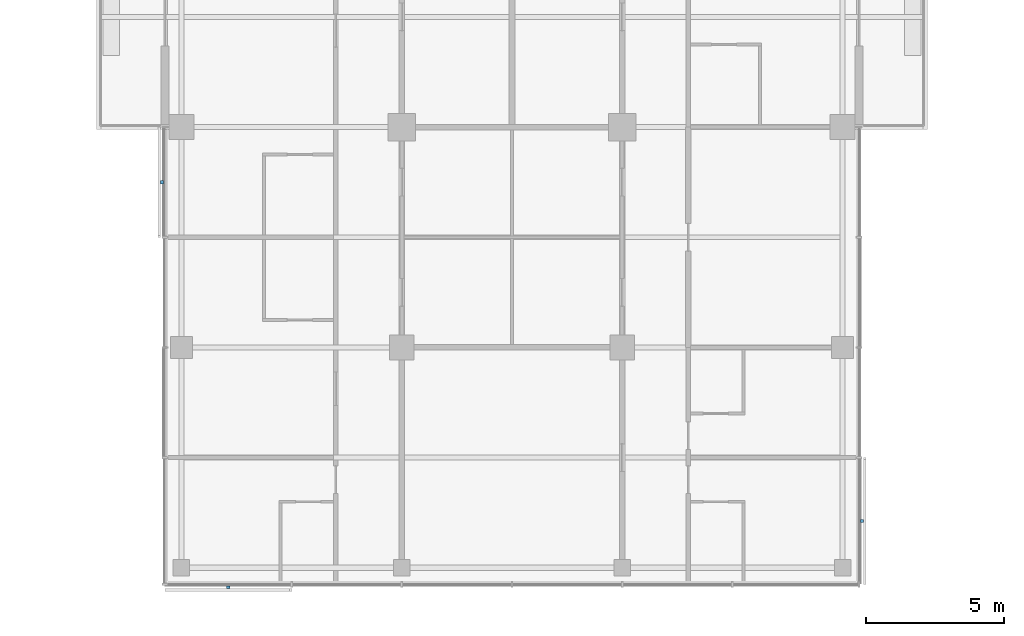
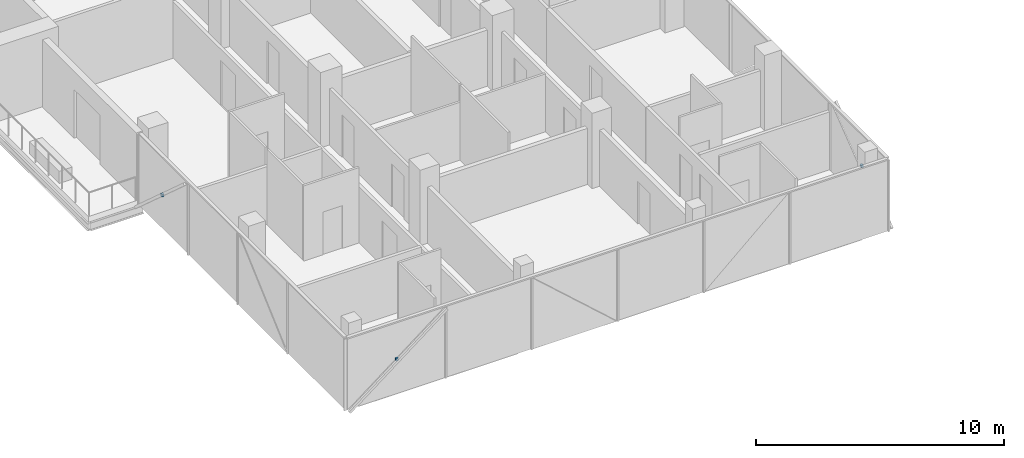
# One storey, part 23 of 27: 3 discrete accessories.
"""IFC4 building model written with IfcOpenShell, lengths in metres."""

from ifc_helpers import new_model, si_unit, direction, frame, origin, origin_2d, place, context, subcontext, project, spatial, rectangle, extrude, material, type_object, element, save


model = new_model("IFC4")

# Units and contexts
model_context = context("Model", 3, precision=1e-05, world=origin(), true_north=direction((0.0, 1.0)))
body_context = subcontext(model_context, "Body", "Model", "MODEL_VIEW")
ifc_project = project(units=[si_unit("LENGTHUNIT", "METRE"), si_unit("AREAUNIT", "SQUARE_METRE"), si_unit("VOLUMEUNIT", "CUBIC_METRE"), si_unit("PLANEANGLEUNIT", "RADIAN"), si_unit("MASSUNIT", "GRAM", prefix="KILO")], contexts=[model_context])

# Site, building, storey
site_placement = place(None, origin())
site = spatial("IfcSite", under=ifc_project, at=site_placement, CompositionType="ELEMENT")
building_placement = place(site_placement, origin())
building = spatial("IfcBuilding", under=site, at=building_placement, Name="Crosswind Convention Tower", CompositionType="ELEMENT")
storey_placement = place(building_placement, frame((0.0, 0.0, 101.60009765625)))
storey = spatial("IfcBuildingStorey", under=building, at=storey_placement, Name="L20", CompositionType="ELEMENT", Elevation=101.60009765625)

# Discrete accessories
ifc_material = material(Name="Stainless steel", Category="steel")
discrete_accessory_type = type_object("IfcDiscreteAccessoryType", Name="BAGUETTE BRACKET BK2", PredefinedType="BRACKET", material=ifc_material)
for number, where, z_axis, x_axis, name in (
    (1, (112.2919921875, 78.0, 1.417236328125), (0.0, 0.0, 1.0), (0.0, -1.0, 0.0), "BK2 baguette bracket"),
    (2, (114.699951171875, 63.2919921875, 1.417236328125), (0.0, 0.0, 1.0), (1.0, 0.0, 0.0), "BK2 baguette bracket"),
    (3, (137.7080078125, 65.699951171875, 1.417236328125), (0.0, 0.0, 1.0), (0.0, 1.0, 0.0), "BK2 baguette bracket"),
):
    element("IfcDiscreteAccessory", number, at=place(storey_placement, frame(where, z_axis=z_axis, x_axis=x_axis)), inside=storey, type_object=discrete_accessory_type, Name=name, PredefinedType="BRACKET", context=body_context, shape_type="SweptSolid", body=[
        extrude(rectangle(XDim=0.1201171875, YDim=0.10009765625, at=origin_2d()), origin(), (0.0, 0.0, 1.0), 0.1201171875),
    ])

save(model, "model.ifc")
